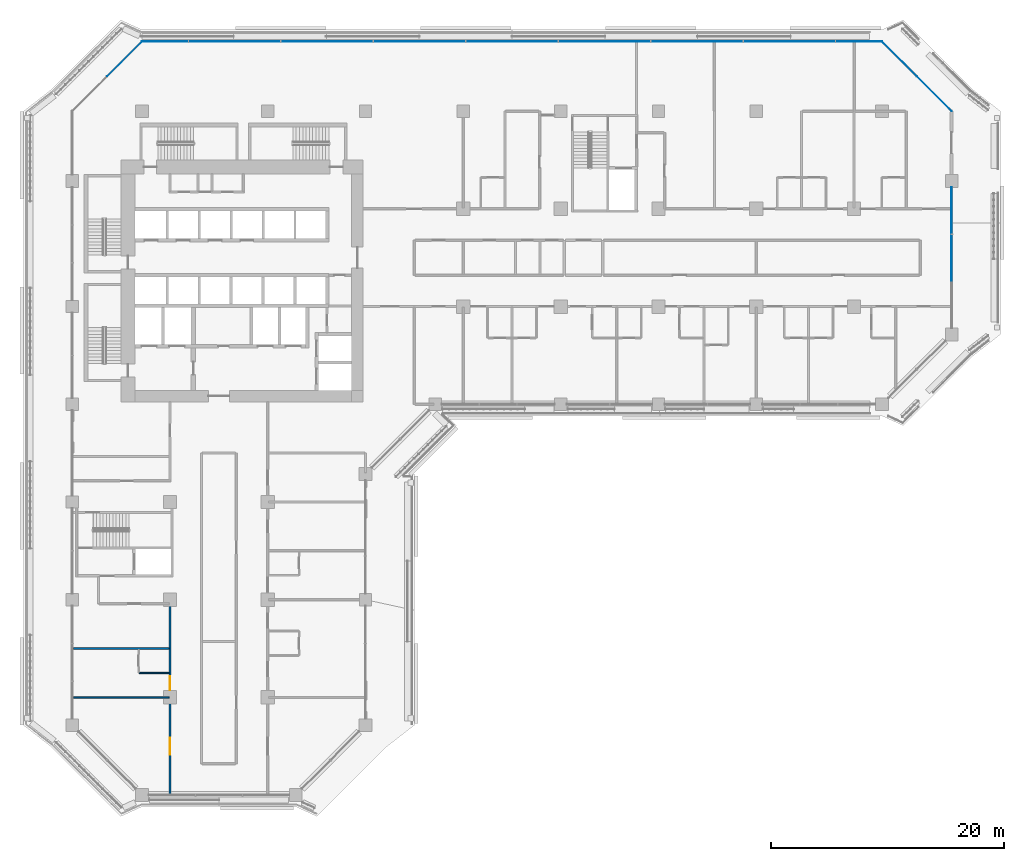
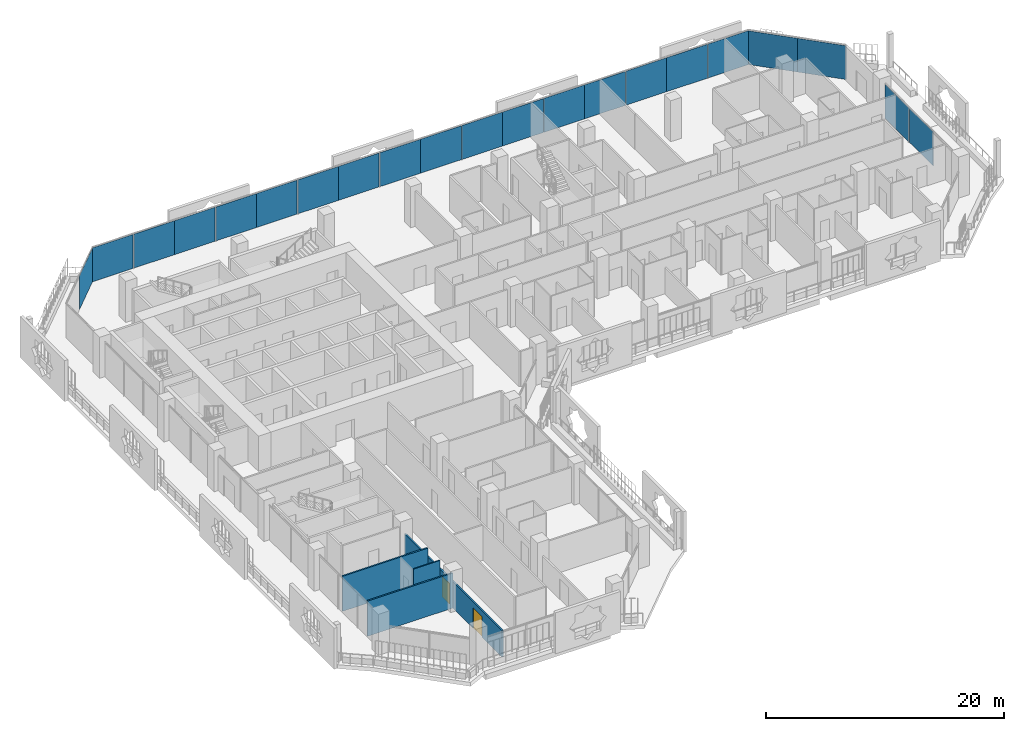
# One storey, part 11 of 26: 21 plates, 4 walls, 2 doors, 2 openings, 4 elements without a shape of their own.
"""IFC4 building model written with IfcOpenShell, lengths in metres."""

from ifc_helpers import new_model, si_unit, direction, frame, frame_2d, origin, origin_2d, place, context, subcontext, project, spatial, rectangle, extrude, material, layer, layer_set, type_object, element, fill, aggregate, save


model = new_model("IFC4")

# Units and contexts
model_context = context("Model", 3, precision=1e-05, world=origin(), true_north=direction((0.0, 1.0)))
body_context = subcontext(model_context, "Body", "Model", "MODEL_VIEW")
ifc_project = project(units=[si_unit("LENGTHUNIT", "METRE"), si_unit("AREAUNIT", "SQUARE_METRE"), si_unit("VOLUMEUNIT", "CUBIC_METRE"), si_unit("PLANEANGLEUNIT", "RADIAN"), si_unit("MASSUNIT", "GRAM", prefix="KILO")], contexts=[model_context])

# Site, building, storey
site_placement = place(None, origin())
site = spatial("IfcSite", under=ifc_project, at=site_placement, CompositionType="ELEMENT")
building_placement = place(site_placement, origin())
building = spatial("IfcBuilding", under=site, at=building_placement, Name="Kawkab Arch Medical Tower", CompositionType="ELEMENT")
storey_placement = place(building_placement, frame((0.0, 0.0, 119.800048828125)))
storey = spatial("IfcBuildingStorey", under=building, at=storey_placement, Name="L27", CompositionType="ELEMENT", Elevation=119.800048828125)

# Curtain wall, plates
ifc_material_1 = material(Name="Bronze anodised aluminium curtain wall frame", Category="aluminium")
ifc_layer_1 = layer(ifc_material_1, 0.159912109375)
ifc_layer_set_1 = layer_set([ifc_layer_1], Name="Bronze anodised aluminium curtain wall frame")
curtain_wall_type_1 = type_object("IfcCurtainWallType", Name="CW1 ward curtain wall", PredefinedType="NOTDEFINED", material=ifc_layer_set_1)
placement = place(storey_placement, origin())
curtain_wall_1 = element("IfcCurtainWall", 1, at=placement, inside=storey, type_object=curtain_wall_type_1, Name="CW1 Ward curtain wall R09", PredefinedType="NOTDEFINED")
ifc_material_2 = material(Name="Tinted insulating glass, bronze low-e coating", Category="glass")
ifc_layer_2 = layer(ifc_material_2, 0.031982421875)
ifc_layer_set_2 = layer_set([ifc_layer_2], Name="Tinted insulating glass, bronze low-e coating")
plate_type_1 = type_object("IfcPlateType", Name="CW1 glazing unit 32", PredefinedType="CURTAIN_PANEL", material=ifc_layer_set_2)
plate_1_placement = place(storey_placement, frame((75.60009765625, -12.614990234375, 0.0), z_axis=(0.0, 0.0, 1.0), x_axis=(0.0, 1.0, 0.0)))
plate_1 = element("IfcPlate", 2, at=plate_1_placement, type_object=plate_type_1, Name="CW1 glazing unit 1.2", PredefinedType="CURTAIN_PANEL", context=body_context, shape_type="SweptSolid", body=[
    extrude(rectangle(XDim=4.00341796875, YDim=0.031982421875, at=origin_2d()), origin(), (0.0, 0.0, 1.0), 3.47998046875),
])
plate_2_placement = place(storey_placement, frame((75.60009765625, -8.5517578125, 0.0), z_axis=(0.0, 0.0, 1.0), x_axis=(0.0, 1.0, 0.0)))
plate_2 = element("IfcPlate", 3, at=plate_2_placement, type_object=plate_type_1, Name="CW1 glazing unit 1.3", PredefinedType="CURTAIN_PANEL", context=body_context, shape_type="SweptSolid", body=[
    extrude(rectangle(XDim=4.00341796875, YDim=0.031982421875, at=origin_2d()), origin(), (0.0, 0.0, 1.0), 3.47998046875),
])
aggregate(curtain_wall_1, [plate_1, plate_2])

curtain_wall_2 = element("IfcCurtainWall", 4, at=placement, inside=storey, type_object=curtain_wall_type_1, Name="CW1 Ward curtain wall R11", PredefinedType="NOTDEFINED")
plate_3_placement = place(storey_placement, frame((67.62744140625, 6.0, 0.0), z_axis=(0.0, 0.0, 1.0), x_axis=(-1.0, 0.0, 0.0)))
plate_3 = element("IfcPlate", 5, at=plate_3_placement, type_object=plate_type_1, Name="CW1 glazing unit 1.1", PredefinedType="CURTAIN_PANEL", context=body_context, shape_type="SweptSolid", body=[
    extrude(rectangle(XDim=3.945068359375, YDim=0.031982421875, at=origin_2d()), origin(), (0.0, 0.0, 1.0), 3.47998046875),
])
plate_4_placement = place(storey_placement, frame((63.62255859375, 6.0, 0.0), z_axis=(0.0, 0.0, 1.0), x_axis=(-1.0, 0.0, 0.0)))
plate_4 = element("IfcPlate", 6, at=plate_4_placement, type_object=plate_type_1, Name="CW1 glazing unit 1.2", PredefinedType="CURTAIN_PANEL", context=body_context, shape_type="SweptSolid", body=[
    extrude(rectangle(XDim=3.945068359375, YDim=0.031982421875, at=origin_2d()), origin(), (0.0, 0.0, 1.0), 3.47998046875),
])
plate_5_placement = place(storey_placement, frame((59.677490234375, 6.0, 0.0), z_axis=(0.0, 0.0, 1.0), x_axis=(-1.0, 0.0, 0.0)))
plate_5 = element("IfcPlate", 7, at=plate_5_placement, type_object=plate_type_1, Name="CW1 glazing unit 2.1", PredefinedType="CURTAIN_PANEL", context=body_context, shape_type="SweptSolid", body=[
    extrude(rectangle(XDim=3.945068359375, YDim=0.031982421875, at=origin_2d()), origin(), (0.0, 0.0, 1.0), 3.47998046875),
])
plate_6_placement = place(storey_placement, frame((55.672607421875, 6.0, 0.0), z_axis=(0.0, 0.0, 1.0), x_axis=(-1.0, 0.0, 0.0)))
plate_6 = element("IfcPlate", 8, at=plate_6_placement, type_object=plate_type_1, Name="CW1 glazing unit 2.2", PredefinedType="CURTAIN_PANEL", context=body_context, shape_type="SweptSolid", body=[
    extrude(rectangle(XDim=3.945068359375, YDim=0.031982421875, at=origin_2d()), origin(), (0.0, 0.0, 1.0), 3.47998046875),
])
plate_7_placement = place(storey_placement, frame((51.7275390625, 6.0, 0.0), z_axis=(0.0, 0.0, 1.0), x_axis=(-1.0, 0.0, 0.0)))
plate_7 = element("IfcPlate", 9, at=plate_7_placement, type_object=plate_type_1, Name="CW1 glazing unit 3.1", PredefinedType="CURTAIN_PANEL", context=body_context, shape_type="SweptSolid", body=[
    extrude(rectangle(XDim=3.945068359375, YDim=0.031982421875, at=origin_2d()), origin(), (0.0, 0.0, 1.0), 3.47998046875),
])
plate_8_placement = place(storey_placement, frame((47.722412109375, 6.0, 0.0), z_axis=(0.0, 0.0, 1.0), x_axis=(-1.0, 0.0, 0.0)))
plate_8 = element("IfcPlate", 10, at=plate_8_placement, type_object=plate_type_1, Name="CW1 glazing unit 3.2", PredefinedType="CURTAIN_PANEL", context=body_context, shape_type="SweptSolid", body=[
    extrude(rectangle(XDim=3.945068359375, YDim=0.031982421875, at=origin_2d()), origin(), (0.0, 0.0, 1.0), 3.47998046875),
])
plate_9_placement = place(storey_placement, frame((43.777587890625, 6.0, 0.0), z_axis=(0.0, 0.0, 1.0), x_axis=(-1.0, 0.0, 0.0)))
plate_9 = element("IfcPlate", 11, at=plate_9_placement, type_object=plate_type_1, Name="CW1 glazing unit 4.1", PredefinedType="CURTAIN_PANEL", context=body_context, shape_type="SweptSolid", body=[
    extrude(rectangle(XDim=3.945068359375, YDim=0.031982421875, at=origin_2d()), origin(), (0.0, 0.0, 1.0), 3.47998046875),
])
plate_10_placement = place(storey_placement, frame((39.7724609375, 6.0, 0.0), z_axis=(0.0, 0.0, 1.0), x_axis=(-1.0, 0.0, 0.0)))
plate_10 = element("IfcPlate", 12, at=plate_10_placement, type_object=plate_type_1, Name="CW1 glazing unit 4.2", PredefinedType="CURTAIN_PANEL", context=body_context, shape_type="SweptSolid", body=[
    extrude(rectangle(XDim=3.945068359375, YDim=0.031982421875, at=origin_2d()), origin(), (0.0, 0.0, 1.0), 3.47998046875),
])
plate_11_placement = place(storey_placement, frame((35.827392578125, 6.0, 0.0), z_axis=(0.0, 0.0, 1.0), x_axis=(-1.0, 0.0, 0.0)))
plate_11 = element("IfcPlate", 13, at=plate_11_placement, type_object=plate_type_1, Name="CW1 glazing unit 5.1", PredefinedType="CURTAIN_PANEL", context=body_context, shape_type="SweptSolid", body=[
    extrude(rectangle(XDim=3.945068359375, YDim=0.031982421875, at=origin_2d()), origin(), (0.0, 0.0, 1.0), 3.47998046875),
])
plate_12_placement = place(storey_placement, frame((31.822509765625, 6.0, 0.0), z_axis=(0.0, 0.0, 1.0), x_axis=(-1.0, 0.0, 0.0)))
plate_12 = element("IfcPlate", 14, at=plate_12_placement, type_object=plate_type_1, Name="CW1 glazing unit 5.2", PredefinedType="CURTAIN_PANEL", context=body_context, shape_type="SweptSolid", body=[
    extrude(rectangle(XDim=3.945068359375, YDim=0.031982421875, at=origin_2d()), origin(), (0.0, 0.0, 1.0), 3.47998046875),
])
plate_13_placement = place(storey_placement, frame((27.87744140625, 6.0, 0.0), z_axis=(0.0, 0.0, 1.0), x_axis=(-1.0, 0.0, 0.0)))
plate_13 = element("IfcPlate", 15, at=plate_13_placement, type_object=plate_type_1, Name="CW1 glazing unit 6.1", PredefinedType="CURTAIN_PANEL", context=body_context, shape_type="SweptSolid", body=[
    extrude(rectangle(XDim=3.945068359375, YDim=0.031982421875, at=origin_2d()), origin(), (0.0, 0.0, 1.0), 3.47998046875),
])
plate_14_placement = place(storey_placement, frame((23.87255859375, 6.0, 0.0), z_axis=(0.0, 0.0, 1.0), x_axis=(-1.0, 0.0, 0.0)))
plate_14 = element("IfcPlate", 16, at=plate_14_placement, type_object=plate_type_1, Name="CW1 glazing unit 6.2", PredefinedType="CURTAIN_PANEL", context=body_context, shape_type="SweptSolid", body=[
    extrude(rectangle(XDim=3.945068359375, YDim=0.031982421875, at=origin_2d()), origin(), (0.0, 0.0, 1.0), 3.47998046875),
])
plate_15_placement = place(storey_placement, frame((19.927490234375, 6.0, 0.0), z_axis=(0.0, 0.0, 1.0), x_axis=(-1.0, 0.0, 0.0)))
plate_15 = element("IfcPlate", 17, at=plate_15_placement, type_object=plate_type_1, Name="CW1 glazing unit 7.1", PredefinedType="CURTAIN_PANEL", context=body_context, shape_type="SweptSolid", body=[
    extrude(rectangle(XDim=3.945068359375, YDim=0.031982421875, at=origin_2d()), origin(), (0.0, 0.0, 1.0), 3.47998046875),
])
plate_16_placement = place(storey_placement, frame((15.922607421875, 6.0, 0.0), z_axis=(0.0, 0.0, 1.0), x_axis=(-1.0, 0.0, 0.0)))
plate_16 = element("IfcPlate", 18, at=plate_16_placement, type_object=plate_type_1, Name="CW1 glazing unit 7.2", PredefinedType="CURTAIN_PANEL", context=body_context, shape_type="SweptSolid", body=[
    extrude(rectangle(XDim=3.945068359375, YDim=0.031982421875, at=origin_2d()), origin(), (0.0, 0.0, 1.0), 3.47998046875),
])
plate_17_placement = place(storey_placement, frame((11.9775390625, 6.0, 0.0), z_axis=(0.0, 0.0, 1.0), x_axis=(-1.0, 0.0, 0.0)))
plate_17 = element("IfcPlate", 19, at=plate_17_placement, type_object=plate_type_1, Name="CW1 glazing unit 8.1", PredefinedType="CURTAIN_PANEL", context=body_context, shape_type="SweptSolid", body=[
    extrude(rectangle(XDim=3.945068359375, YDim=0.031982421875, at=origin_2d()), origin(), (0.0, 0.0, 1.0), 3.47998046875),
])
plate_18_placement = place(storey_placement, frame((7.972412109375, 6.0, 0.0), z_axis=(0.0, 0.0, 1.0), x_axis=(-1.0, 0.0, 0.0)))
plate_18 = element("IfcPlate", 20, at=plate_18_placement, type_object=plate_type_1, Name="CW1 glazing unit 8.2", PredefinedType="CURTAIN_PANEL", context=body_context, shape_type="SweptSolid", body=[
    extrude(rectangle(XDim=3.945068359375, YDim=0.031982421875, at=origin_2d()), origin(), (0.0, 0.0, 1.0), 3.47998046875),
])
aggregate(curtain_wall_2, [plate_3, plate_4, plate_5, plate_6, plate_7, plate_8, plate_9, plate_10, plate_11, plate_12, plate_13, plate_14, plate_15, plate_16, plate_17, plate_18])

ifc_material_3 = material(Name="Bronze anodised aluminium curtain wall frame", Category="aluminium")
ifc_layer_3 = layer(ifc_material_3, 0.159912109375)
ifc_layer_set_3 = layer_set([ifc_layer_3], Name="Bronze anodised aluminium curtain wall frame")
curtain_wall_type_2 = type_object("IfcCurtainWallType", Name="CW2 chamfer curtain wall", PredefinedType="NOTDEFINED", material=ifc_layer_set_3)
curtain_wall_3 = element("IfcCurtainWall", 21, at=placement, inside=storey, type_object=curtain_wall_type_2, Name="CW2 Chamfer curtain wall R10", PredefinedType="NOTDEFINED")
ifc_material_4 = material(Name="Tinted insulating glass, bronze low-e coating", Category="glass")
ifc_layer_4 = layer(ifc_material_4, 0.031982421875)
ifc_layer_set_4 = layer_set([ifc_layer_4], Name="Tinted insulating glass, bronze low-e coating")
plate_type_2 = type_object("IfcPlateType", Name="CW2 glazing unit 32", PredefinedType="CURTAIN_PANEL", material=ifc_layer_set_4)
plate_19_placement = place(storey_placement, frame((74.10009765625, 1.5, 0.0), z_axis=(0.0, 0.0, 1.0), x_axis=(-0.707106781187, 0.707106781187, 0.0)))
plate_19 = element("IfcPlate", 22, at=plate_19_placement, type_object=plate_type_2, Name="CW2 glazing unit 1.1", PredefinedType="CURTAIN_PANEL", context=body_context, shape_type="SweptSolid", body=[
    extrude(rectangle(XDim=4.24267578125, YDim=0.031982421875, at=origin_2d()), origin(), (0.0, 0.0, 1.0), 3.4599609375),
])
plate_20_placement = place(storey_placement, frame((71.10009765625, 4.5, 0.0), z_axis=(0.0, 0.0, 1.0), x_axis=(-0.707106781187, 0.707106781187, 0.0)))
plate_20 = element("IfcPlate", 23, at=plate_20_placement, type_object=plate_type_2, Name="CW2 glazing unit 2.1", PredefinedType="CURTAIN_PANEL", context=body_context, shape_type="SweptSolid", body=[
    extrude(rectangle(XDim=4.24267578125, YDim=0.031982421875, at=origin_2d()), origin(), (0.0, 0.0, 1.0), 3.4599609375),
])
aggregate(curtain_wall_3, [plate_19, plate_20])

# Curtain wall, plate
curtain_wall_4 = element("IfcCurtainWall", 24, at=placement, inside=storey, type_object=curtain_wall_type_2, Name="CW2 Chamfer curtain wall R12", PredefinedType="NOTDEFINED")
plate_21_placement = place(storey_placement, frame((4.5, 4.5, 0.0), z_axis=(0.0, 0.0, 1.0), x_axis=(-0.707106781187, -0.707106781187, 0.0)))
plate_21 = element("IfcPlate", 25, at=plate_21_placement, type_object=plate_type_2, Name="CW2 glazing unit 1.1", PredefinedType="CURTAIN_PANEL", context=body_context, shape_type="SweptSolid", body=[
    extrude(rectangle(XDim=4.24267578125, YDim=0.031982421875, at=origin_2d()), origin(), (0.0, 0.0, 1.0), 3.4599609375),
])
aggregate(curtain_wall_4, [plate_21])

# Walls
ifc_material_5 = material(Name="Gypsum board partition on steel studs", Category="steel")
ifc_layer_5 = layer(ifc_material_5, 0.10009765625)
ifc_layer_set_5 = layer_set([ifc_layer_5], Name="Gypsum board partition on steel studs")
wall_type_1 = type_object("IfcWallType", Name="Partition 100", PredefinedType="PARTITIONING", material=ifc_layer_set_5)
wall_1_placement = place(storey_placement, frame((5.75, -48.300048828125, 0.0), z_axis=(0.0, 0.0, 1.0), x_axis=(1.0, 0.0, 0.0)))
element("IfcWall", 26, at=wall_1_placement, inside=storey, type_object=wall_type_1, Name="Partition 100 w001", PredefinedType="PARTITIONING", context=body_context, shape_type="SweptSolid", body=[
    extrude(rectangle(XDim=2.574951171875, YDim=0.10009765625, at=frame_2d((1.28759765625, 0.0))), origin(), (0.0, 0.0, 1.0), 3.599853515625),
])
ifc_material_6 = material(Name="Gypsum board partition on steel studs, mineral wool", Category="steel")
ifc_layer_6 = layer(ifc_material_6, 0.14990234375)
ifc_layer_set_6 = layer_set([ifc_layer_6], Name="Gypsum board partition on steel studs, mineral wool")
wall_type_2 = type_object("IfcWallType", Name="Partition 150", PredefinedType="PARTITIONING", material=ifc_layer_set_6)
for number, where, z_axis, x_axis, name in (
    (27, (0.080078125, -50.39990234375, 0.0), (0.0, 0.0, 1.0), (1.0, 0.0, 0.0), "Partition 150 w031"),
    (28, (0.080078125, -46.199951171875, 0.0), (0.0, 0.0, 1.0), (1.0, 0.0, 0.0), "Partition 150 w033"),
):
    element("IfcWall", number, at=place(storey_placement, frame(where, z_axis=z_axis, x_axis=x_axis)), inside=storey, type_object=wall_type_2, Name=name, PredefinedType="PARTITIONING", context=body_context, shape_type="SweptSolid", body=[
        extrude(rectangle(XDim=8.244873046875, YDim=0.14990234375, at=frame_2d((4.12255859375, 0.0))), origin(), (0.0, 0.0, 1.0), 3.599853515625),
    ])

# Wall, openings, doors
wall_2_placement = place(storey_placement, frame((8.39990234375, -58.719970703125, 0.0), z_axis=(0.0, 0.0, 1.0), x_axis=(0.0, 1.0, 0.0)))
wall_2 = element("IfcWall", 29, at=wall_2_placement, inside=storey, type_object=wall_type_2, Name="Partition 150 w059", PredefinedType="PARTITIONING", context=body_context, shape_type="SweptSolid", body=[
    extrude(rectangle(XDim=16.369873046875, YDim=0.14990234375, at=frame_2d((8.18505859375, 0.0))), origin(), (0.0, 0.0, 1.0), 2.699951171875),
])
opening_1_placement = place(wall_2_placement, frame((8.919921875, 0.0, 0.0)))
opening_1 = element("IfcOpeningElement", 30, at=opening_1_placement, cuts=wall_2, Name="Opening W27-053", PredefinedType="OPENING", context=body_context, shape_type="SweptSolid", body=[
    extrude(rectangle(XDim=1.199951171875, YDim=2.10009765625, at=frame_2d((0.60009765625, 1.050048828125))), frame((0.0, 0.0849609375, 0.0), z_axis=(0.0, -1.0, 0.0), x_axis=(1.0, 0.0, 0.0)), (0.0, 0.0, 1.0), 0.169921875),
])
opening_2_placement = place(wall_2_placement, frame((3.3701171875, 0.0, 0.0)))
opening_2 = element("IfcOpeningElement", 31, at=opening_2_placement, cuts=wall_2, Name="Opening W27-002", PredefinedType="OPENING", context=body_context, shape_type="SweptSolid", body=[
    extrude(rectangle(XDim=1.5, YDim=2.10009765625, at=frame_2d((0.75, 1.050048828125))), frame((0.0, 0.0849609375, 0.0), z_axis=(0.0, -1.0, 0.0), x_axis=(1.0, 0.0, 0.0)), (0.0, 0.0, 1.0), 0.169921875),
])
ifc_material_7 = material(Name="Hollow metal door leaf")
door_type_1 = type_object("IfcDoorType", Name="Double door 1500x2100 FD30S", OperationType="NOTDEFINED", PredefinedType="DOOR", material=ifc_material_7)
door_1_placement = place(opening_2_placement, origin())
door_1 = element("IfcDoor", 32, at=door_1_placement, inside=storey, type_object=door_type_1, Name="Door W27-002", OperationType="DOUBLE_DOOR_SINGLE_SWING", OverallHeight=2.10009765625, OverallWidth=1.5, PredefinedType="DOOR", context=body_context, shape_type="SweptSolid", body=[
    extrude(rectangle(XDim=1.5, YDim=2.10009765625, at=frame_2d((0.75, 1.050048828125))), frame((0.0, 0.02490234375, 0.0), z_axis=(0.0, -1.0, 0.0), x_axis=(1.0, 0.0, 0.0)), (0.0, 0.0, 1.0), 0.050048828125),
])
fill(opening_2, door_1)
ifc_material_8 = material(Name="Hollow metal door leaf")
door_type_2 = type_object("IfcDoorType", Name="Single door 1200x2100 FD30S", OperationType="NOTDEFINED", PredefinedType="DOOR", material=ifc_material_8)
door_2_placement = place(opening_1_placement, origin())
door_2 = element("IfcDoor", 33, at=door_2_placement, inside=storey, type_object=door_type_2, Name="Door W27-053", OperationType="SINGLE_SWING_RIGHT", OverallHeight=2.10009765625, OverallWidth=1.199951171875, PredefinedType="DOOR", context=body_context, shape_type="SweptSolid", body=[
    extrude(rectangle(XDim=1.199951171875, YDim=2.10009765625, at=frame_2d((0.60009765625, 1.050048828125))), frame((0.0, 0.02490234375, 0.0), z_axis=(0.0, -1.0, 0.0), x_axis=(1.0, 0.0, 0.0)), (0.0, 0.0, 1.0), 0.050048828125),
])
fill(opening_1, door_2)

save(model, "model.ifc")
